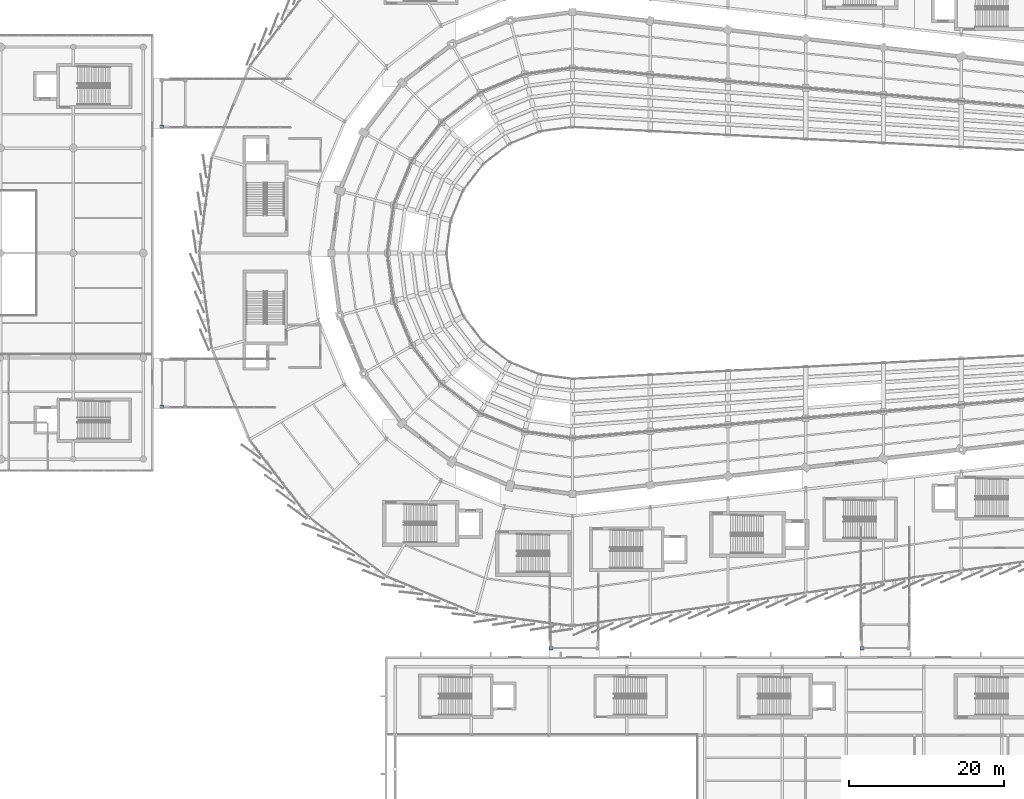
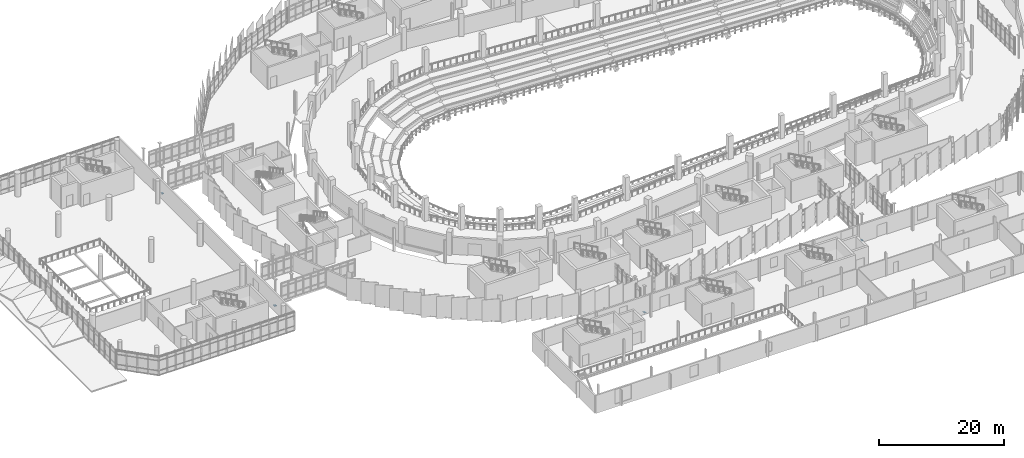
# One storey, part 121 of 134: 4 discrete accessories.
"""IFC4 building model written with IfcOpenShell, lengths in metres."""

from ifc_helpers import new_model, si_unit, direction, frame, origin, origin_2d, place, context, subcontext, project, spatial, rectangle, extrude, material, type_object, element, save


model = new_model("IFC4")

# Units and contexts
model_context = context("Model", 3, precision=1e-05, world=origin(), true_north=direction((0.0, 1.0)))
body_context = subcontext(model_context, "Body", "Model", "MODEL_VIEW")
ifc_project = project(units=[si_unit("LENGTHUNIT", "METRE"), si_unit("AREAUNIT", "SQUARE_METRE"), si_unit("VOLUMEUNIT", "CUBIC_METRE"), si_unit("PLANEANGLEUNIT", "RADIAN"), si_unit("MASSUNIT", "GRAM", prefix="KILO")], contexts=[model_context])

# Site, building, storey
site_placement = place(None, origin())
site = spatial("IfcSite", under=ifc_project, at=site_placement, CompositionType="ELEMENT")
building_placement = place(site_placement, origin())
building = spatial("IfcBuilding", under=site, at=building_placement, Name="Sohan Crest Arena", CompositionType="ELEMENT")
storey_placement = place(building_placement, frame((0.0, 0.0, 4.5)))
storey = spatial("IfcBuildingStorey", under=building, at=storey_placement, Name="L01", CompositionType="ELEMENT", Elevation=4.5)

# Discrete accessories
ifc_material = material(Name="Steel S355", Category="steel")
discrete_accessory_type = type_object("IfcDiscreteAccessoryType", Name="STR-ACC-SLB1", PredefinedType="USERDEFINED", material=ifc_material)
for number, where, z_axis, x_axis, name in (
    (1, (45.199951171875, 58.25, -0.655029296875), (0.0, 0.0, 1.0), (1.0, 0.0, 0.0), "Unguided PTFE sliding bridge bearing BR-W1"),
    (2, (45.199951171875, 94.25, -0.655029296875), (0.0, 0.0, 1.0), (1.0, 0.0, 0.0), "Unguided PTFE sliding bridge bearing BR-W2"),
    (3, (95.25, 27.199951171875, -0.655029296875), (0.0, 0.0, 1.0), (1.0, 0.0, 0.0), "Unguided PTFE sliding bridge bearing BR-S1"),
    (4, (135.25, 27.199951171875, -0.655029296875), (0.0, 0.0, 1.0), (1.0, 0.0, 0.0), "Unguided PTFE sliding bridge bearing BR-S2"),
):
    element("IfcDiscreteAccessory", number, at=place(storey_placement, frame(where, z_axis=z_axis, x_axis=x_axis)), inside=storey, type_object=discrete_accessory_type, Name=name, ObjectType="SLIDING BEARING", PredefinedType="USERDEFINED", context=body_context, shape_type="SweptSolid", body=[
        extrude(rectangle(XDim=0.35009765625, YDim=0.449951171875, at=origin_2d()), origin(), (0.0, 0.0, 1.0), 0.080078125),
    ])

save(model, "model.ifc")
